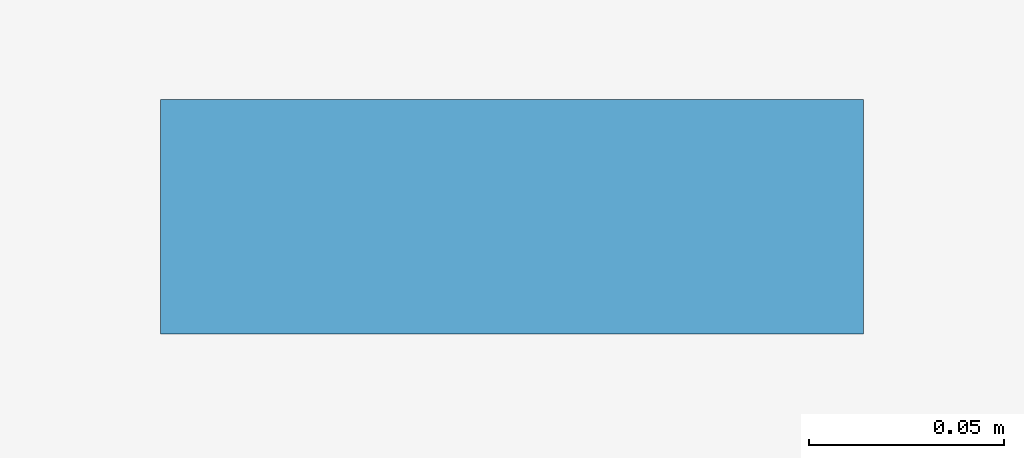
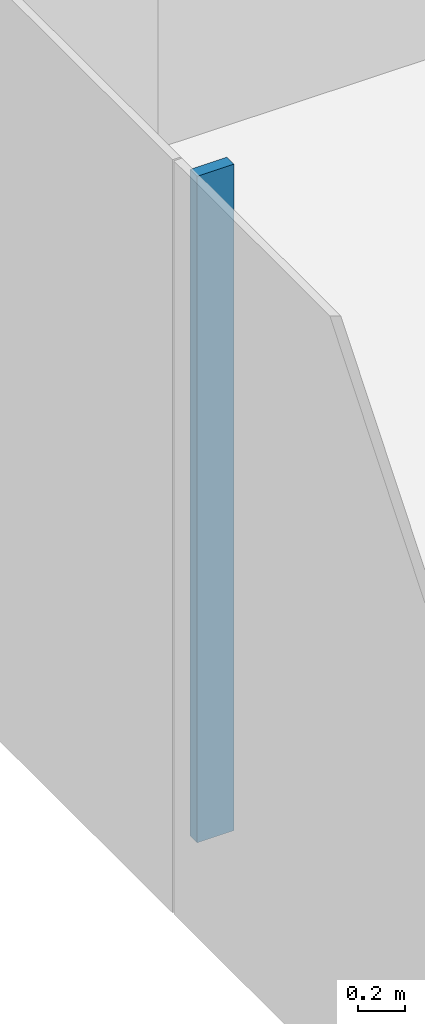
# One storey, part 4 of 22: 1 member, 1 element without a shape of its own.
"""IFC4 building model written with IfcOpenShell, lengths in metres."""

from ifc_helpers import new_model, si_unit, direction, frame, origin, origin_2d, place, context, subcontext, project, spatial, rectangle, extrude, material, layer, layer_set, material_profile, profile_set, type_object, element, aggregate, save


model = new_model("IFC4")

# Units and contexts
model_context = context("Model", 3, precision=1e-05, world=origin(), true_north=direction((0.0, 1.0)))
body_context = subcontext(model_context, "Body", "Model", "MODEL_VIEW")
ifc_project = project(units=[si_unit("LENGTHUNIT", "METRE"), si_unit("AREAUNIT", "SQUARE_METRE"), si_unit("VOLUMEUNIT", "CUBIC_METRE"), si_unit("PLANEANGLEUNIT", "RADIAN"), si_unit("MASSUNIT", "GRAM", prefix="KILO")], contexts=[model_context])

# Site, building, storey
site_placement = place(None, origin())
site = spatial("IfcSite", under=ifc_project, at=site_placement, CompositionType="ELEMENT")
building_placement = place(site_placement, origin())
building = spatial("IfcBuilding", under=site, at=building_placement, Name="Shamsa Quay Exchange Towers", CompositionType="ELEMENT")
storey_placement = place(building_placement, frame((0.0, 0.0, 73.199951171875)))
storey = spatial("IfcBuildingStorey", under=building, at=storey_placement, Name="L16", CompositionType="ELEMENT", Elevation=73.199951171875)

# Curtain wall, member
ifc_material = material(Name="Aluminium EN AW-6063 T6, black anodised", Category="aluminium")
ifc_layer = layer(ifc_material, 0.280029296875)
ifc_layer_set = layer_set([ifc_layer], Name="CW-1 UNITISED VISION GLASS")
curtain_wall_type = type_object("IfcCurtainWallType", Name="CW-1 UNITISED VISION GLASS", PredefinedType="NOTDEFINED", material=ifc_layer_set)
curtain_wall_placement = place(storey_placement, origin())
curtain_wall = element("IfcCurtainWall", 1, at=curtain_wall_placement, inside=storey, type_object=curtain_wall_type, Name="CW1 T1-END-U- L16", PredefinedType="NOTDEFINED")
ifc_material_profile = material_profile(ifc_material, rectangle(XDim=0.179931640625, YDim=0.06005859375, at=origin_2d()), Name="MU60x180")
ifc_profile_set = profile_set([ifc_material_profile], Name="Aluminium EN AW-6063 T6, black anodised")
member_type = type_object("IfcMemberType", Name="CW1 MULLION 60x180", PredefinedType="MULLION", material=ifc_profile_set)
member_placement = place(storey_placement, frame((-62.85009765625, 2.25, 0.0)))
member = element("IfcMember", 2, at=member_placement, type_object=member_type, Name="CW1 mullion", PredefinedType="MULLION", context=body_context, shape_type="SweptSolid", body=[
    extrude(rectangle(XDim=0.179931640625, YDim=0.06005859375, at=origin_2d()), origin(), (0.0, 0.0, 1.0), 3.449951171875),
])
aggregate(curtain_wall, [member])

save(model, "model.ifc")
